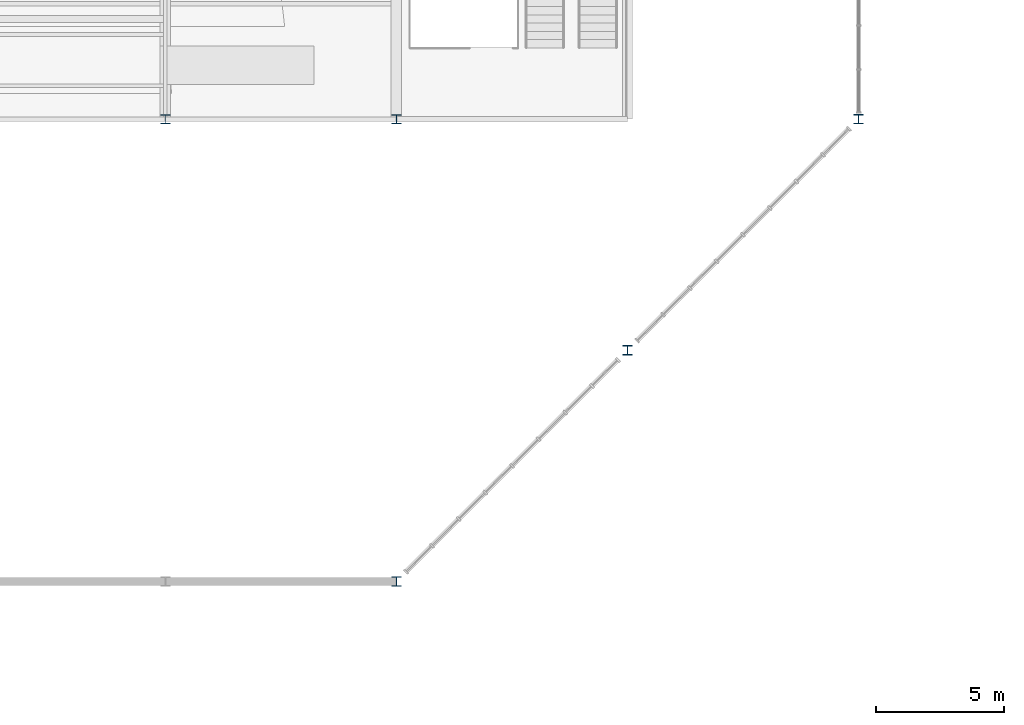
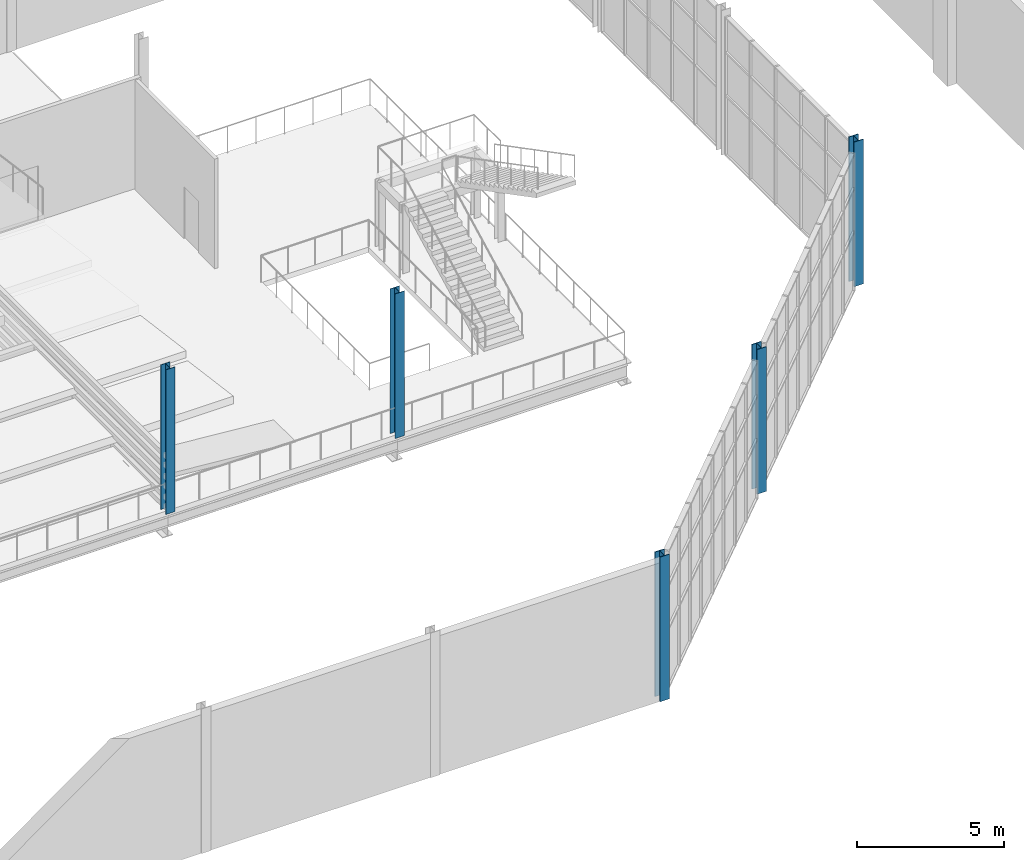
# One storey, part 2 of 159: 5 columns.
"""IFC4 building model written with IfcOpenShell, lengths in metres."""

import ifcopenshell
import ifcopenshell.guid

model = None  # the IFC model being written
_history = None  # IfcOwnerHistory: only IFC2X3 demands one
_inside = {}  # id of a spatial element -> (the spatial element, [elements in it])
_under = {}  # id of a project, library or spatial element -> (it, [spatial elements below it])
_declared = {}  # id of a project -> (the project, [libraries it declares])
_typed = {}  # id of a type object -> (the type object, [elements of that type])
_made_of = {}  # id of a material, layer set ... -> (it, [elements and type objects made of it])


def new_model(schema):
    """Start an empty IFC model of exactly this schema.

    Asked for "IFC4X3", IfcOpenShell would pick the latest addendum, in which some entities
    have other attributes; the version numbers below select the first issue.
    IFC2X3 requires an IfcOwnerHistory on every rooted entity: one is made here for all.
    """
    global model, _history
    if schema == "IFC4X3":
        model = ifcopenshell.file(schema_version=(4, 3, 0, 0))
    else:
        model = ifcopenshell.file(schema=schema)
    _inside.clear()
    _under.clear()
    _declared.clear()
    _typed.clear()
    _made_of.clear()
    _history = None
    if model.schema == "IFC2X3":
        org = make("IfcOrganization", Name="unknown")
        user = make(
            "IfcPersonAndOrganization",
            ThePerson=make("IfcPerson", FamilyName="unknown"),
            TheOrganization=org,
        )
        app = make(
            "IfcApplication",
            ApplicationDeveloper=org,
            Version="unknown",
            ApplicationFullName="unknown",
            ApplicationIdentifier="unknown",
        )
        _history = make(
            "IfcOwnerHistory",
            OwningUser=user,
            OwningApplication=app,
            ChangeAction="ADDED",
            CreationDate=0,
        )
    return model


def make(cls, **values):
    """One entity of the class cls with the attributes given. An attribute that is None is left unset."""
    return model.create_entity(
        cls, **{name: value for name, value in values.items() if value is not None}
    )


def rooted(cls, **values):
    """An entity with a GlobalId (a new one), such as an element, a storey or a relation."""
    return make(cls, GlobalId=ifcopenshell.guid.new(), OwnerHistory=_history, **values)


def si_unit(unit_type, name, prefix=None):
    """IfcSIUnit, for example si_unit("LENGTHUNIT", "METRE", prefix="MILLI")."""
    return make("IfcSIUnit", UnitType=unit_type, Prefix=prefix, Name=name)


def assignment(units):
    """IfcUnitAssignment: the units of a project."""
    return None if units is None else make("IfcUnitAssignment", Units=units)


def point(xyz):
    """IfcCartesianPoint."""
    return None if xyz is None else make("IfcCartesianPoint", Coordinates=xyz)


def direction(xyz):
    """IfcDirection."""
    return None if xyz is None else make("IfcDirection", DirectionRatios=xyz)


def frame(location, z_axis=None, x_axis=None):
    """IfcAxis2Placement3D, a coordinate frame: its origin and axes. An axis left out is left unset."""
    return make(
        "IfcAxis2Placement3D",
        Location=point(location),
        Axis=direction(z_axis),
        RefDirection=direction(x_axis),
    )


def frame_2d(location, x_axis=None):
    """IfcAxis2Placement2D, a coordinate frame in the plane: its origin and x axis."""
    return make(
        "IfcAxis2Placement2D", Location=point(location), RefDirection=direction(x_axis)
    )


def origin():
    """The frame at (0, 0, 0) with its axes left unset."""
    return frame((0.0, 0.0, 0.0))


def origin_2d():
    """The frame at (0, 0) in the plane with its x axis left unset."""
    return frame_2d((0.0, 0.0))


def place(relative_to, where):
    """IfcLocalPlacement: puts the frame where relative to a parent placement (None: the world)."""
    return make(
        "IfcLocalPlacement", PlacementRelTo=relative_to, RelativePlacement=where
    )


def context(
    kind, dimensions, precision=None, world=None, true_north=None, identifier=None
):
    """IfcGeometricRepresentationContext, for example the 3D "Model" context."""
    return make(
        "IfcGeometricRepresentationContext",
        ContextIdentifier=identifier,
        ContextType=kind,
        CoordinateSpaceDimension=dimensions,
        Precision=precision,
        WorldCoordinateSystem=world,
        TrueNorth=true_north,
    )


def subcontext(parent, identifier, kind, view, scale=None):
    """IfcGeometricRepresentationSubContext, for example "Body" below "Model"."""
    return make(
        "IfcGeometricRepresentationSubContext",
        ContextIdentifier=identifier,
        ContextType=kind,
        ParentContext=parent,
        TargetScale=scale,
        TargetView=view,
    )


def project(units=None, contexts=None):
    """IfcProject with its units and contexts."""
    return rooted(
        "IfcProject",
        Name="project",
        RepresentationContexts=contexts,
        UnitsInContext=assignment(units),
    )


def spatial(cls, under=None, at=None, **own):
    """A site, building, storey or space (cls), placed at a placement, below another one or the project."""
    s = rooted(cls, ObjectPlacement=at, **own)
    if under is not None:
        _under.setdefault(under.id(), (under, []))[1].append(s)
    return s


def profile(cls, at=None, kind="AREA", **sizes):
    """A parametric profile (cls). Its sizes go by their IFC names, for example OverallWidth=200.0."""
    return make(cls, ProfileType=kind, Position=at, **sizes)


def i_section(**sizes):
    """IfcIShapeProfileDef."""
    return profile("IfcIShapeProfileDef", **sizes)


def extrude(swept, where, along, depth):
    """IfcExtrudedAreaSolid: the profile swept, set in the frame where, extruded along a direction by depth."""
    return make(
        "IfcExtrudedAreaSolid",
        SweptArea=swept,
        Position=where,
        ExtrudedDirection=direction(along),
        Depth=depth,
    )


def shape(context_of_items, identifier, shape_type, items):
    """IfcShapeRepresentation: the items that make up one representation, for example the "Body"."""
    return make(
        "IfcShapeRepresentation",
        ContextOfItems=context_of_items,
        RepresentationIdentifier=identifier,
        RepresentationType=shape_type,
        Items=items,
    )


def material(Name=None, Category=None):
    """IfcMaterial."""
    return make("IfcMaterial", Name=Name, Category=Category)


def material_profile(
    of_material, cross_section, Name=None, Category=None, Priority=None
):
    """IfcMaterialProfile: a cross section and its material."""
    return make(
        "IfcMaterialProfile",
        Name=Name,
        Material=of_material,
        Profile=cross_section,
        Priority=Priority,
        Category=Category,
    )


def profile_set(profiles, Name=None, composite=None):
    """IfcMaterialProfileSet."""
    return make(
        "IfcMaterialProfileSet",
        Name=Name,
        MaterialProfiles=profiles,
        CompositeProfile=composite,
    )


def made_of(thing, what):
    """Note that an element or type object is made of a material, layer set ...; save() writes the relation."""
    if what is not None:
        _made_of.setdefault(what.id(), (what, []))[1].append(thing)
    return thing


def type_object(cls, material=None, **own):
    """A type object (cls), such as IfcWallType, which elements share."""
    return made_of(rooted(cls, **own), material)


def element(
    cls,
    number,
    at=None,
    inside=None,
    cuts=None,
    type_object=None,
    material=None,
    context=None,
    identifier="Body",
    shape_type=None,
    held_by="IfcProductDefinitionShape",
    body=None,
    shapes=None,
    **own,
):
    """One element of the class cls, such as IfcWall. Its Tag is "e" and its number.

    at: its placement. inside: the storey or other place that contains it. cuts: it is an
    opening in that element (IfcRelVoidsElement). A single representation is given by context,
    identifier, shape_type and body (its items); several are given by shapes. held_by: the class
    of the entity that holds the representations. save() writes the other relations.
    """
    e = rooted(cls, Tag="e%d" % number, ObjectPlacement=at, **own)
    if body is not None:
        shapes = [shape(context, identifier, shape_type, body)]
    if shapes is not None:
        e.Representation = make(held_by, Representations=shapes)
    if inside is not None:
        _inside.setdefault(inside.id(), (inside, []))[1].append(e)
    if cuts is not None:
        rooted(
            "IfcRelVoidsElement", RelatingBuildingElement=cuts, RelatedOpeningElement=e
        )
    if type_object is not None:
        _typed.setdefault(type_object.id(), (type_object, []))[1].append(e)
    return made_of(e, material)


def aggregate(whole, parts):
    """IfcRelAggregates: a whole, such as a stair, and the parts it consists of."""
    return rooted("IfcRelAggregates", RelatingObject=whole, RelatedObjects=parts)


def save(model, path):
    """Write the relations noted so far, then the file.

    IfcRelAggregates (storeys below a building ...), IfcRelContainedInSpatialStructure (elements
    in a storey), IfcRelDefinesByType, IfcRelAssociatesMaterial and IfcRelDeclares: one each for
    every whole, place, type object, material and project.
    """
    for whole, parts in _under.values():
        aggregate(whole, parts)
    for where, things in _inside.values():
        rooted(
            "IfcRelContainedInSpatialStructure",
            RelatedElements=things,
            RelatingStructure=where,
        )
    for kind, things in _typed.values():
        rooted("IfcRelDefinesByType", RelatedObjects=things, RelatingType=kind)
    for what, things in _made_of.values():
        rooted("IfcRelAssociatesMaterial", RelatedObjects=things, RelatingMaterial=what)
    for by, libraries in _declared.values():
        rooted("IfcRelDeclares", RelatingContext=by, RelatedDefinitions=libraries)
    model.write(path)


model = new_model("IFC4")

# Units and contexts
model_context = context("Model", 3, precision=1e-05, world=origin(), true_north=direction((0.0, 1.0)))
body_context = subcontext(model_context, "Body", "Model", "MODEL_VIEW")
ifc_project = project(units=[si_unit("LENGTHUNIT", "METRE"), si_unit("AREAUNIT", "SQUARE_METRE"), si_unit("VOLUMEUNIT", "CUBIC_METRE"), si_unit("PLANEANGLEUNIT", "RADIAN"), si_unit("MASSUNIT", "GRAM", prefix="KILO")], contexts=[model_context])

# Site, building, storey
site_placement = place(None, origin())
site = spatial("IfcSite", under=ifc_project, at=site_placement, CompositionType="ELEMENT")
building_placement = place(site_placement, origin())
building = spatial("IfcBuilding", under=site, at=building_placement, Name="Cazmaro Siding Exhibition Halls", CompositionType="ELEMENT")
storey_placement = place(building_placement, frame((0.0, 0.0, 6.0)))
storey = spatial("IfcBuildingStorey", under=building, at=storey_placement, Name="L01", CompositionType="ELEMENT", Elevation=6.0)

# Columns
ifc_material_1 = material(Name="Steel ASTM A992 Grade 50", Category="steel")
ifc_material_profile_1 = material_profile(ifc_material_1, i_section(OverallWidth=0.373046875, OverallDepth=0.373046875, WebThickness=0.01611328125, FlangeThickness=0.02587890625, at=origin_2d()), Name="W14X132")
ifc_profile_set_1 = profile_set([ifc_material_profile_1], Name="Steel ASTM A992 Grade 50")
column_type_1 = type_object("IfcColumnType", Name="C-04", PredefinedType="COLUMN", material=ifc_profile_set_1)
for number, where, z_axis, x_axis, name in (
    (1, (45.0, 9.0, 0.0), (0.0, 0.0, 1.0), (1.0, 0.0, 0.0), "Column C-04 COL-0809"),
    (2, (54.0, 18.0, 0.0), (0.0, 0.0, 1.0), (1.0, 0.0, 0.0), "Column C-04 COL-0812"),
    (3, (63.0, 27.0, 0.0), (0.0, 0.0, 1.0), (1.0, 0.0, 0.0), "Column C-04 COL-0815"),
):
    element("IfcColumn", number, at=place(storey_placement, frame(where, z_axis=z_axis, x_axis=x_axis)), inside=storey, type_object=column_type_1, Name=name, PredefinedType="COLUMN", context=body_context, shape_type="SweptSolid", body=[
        extrude(i_section(OverallWidth=0.373046875, OverallDepth=0.373046875, WebThickness=0.01611328125, FlangeThickness=0.02587890625, at=origin_2d()), origin(), (0.0, 0.0, 1.0), 6.0),
    ])
ifc_material_2 = material(Name="Steel ASTM A992 Grade 50", Category="steel")
ifc_material_profile_2 = material_profile(ifc_material_2, i_section(OverallWidth=0.367919921875, OverallDepth=0.35595703125, WebThickness=0.010986328125, FlangeThickness=0.01806640625, at=origin_2d()), Name="W14X90")
ifc_profile_set_2 = profile_set([ifc_material_profile_2], Name="Steel ASTM A992 Grade 50")
column_type_2 = type_object("IfcColumnType", Name="C-05", PredefinedType="COLUMN", material=ifc_profile_set_2)
for number, where, z_axis, x_axis, name in (
    (4, (36.0, 27.0, 0.0), (0.0, 0.0, 1.0), (1.0, 0.0, 0.0), "Column C-05 COL-0872"),
    (5, (45.0, 27.0, 0.0), (0.0, 0.0, 1.0), (1.0, 0.0, 0.0), "Column C-05 COL-0876"),
):
    element("IfcColumn", number, at=place(storey_placement, frame(where, z_axis=z_axis, x_axis=x_axis)), inside=storey, type_object=column_type_2, Name=name, PredefinedType="COLUMN", context=body_context, shape_type="SweptSolid", body=[
        extrude(i_section(OverallWidth=0.367919921875, OverallDepth=0.35595703125, WebThickness=0.010986328125, FlangeThickness=0.01806640625, at=origin_2d()), origin(), (0.0, 0.0, 1.0), 6.0),
    ])

save(model, "model.ifc")
